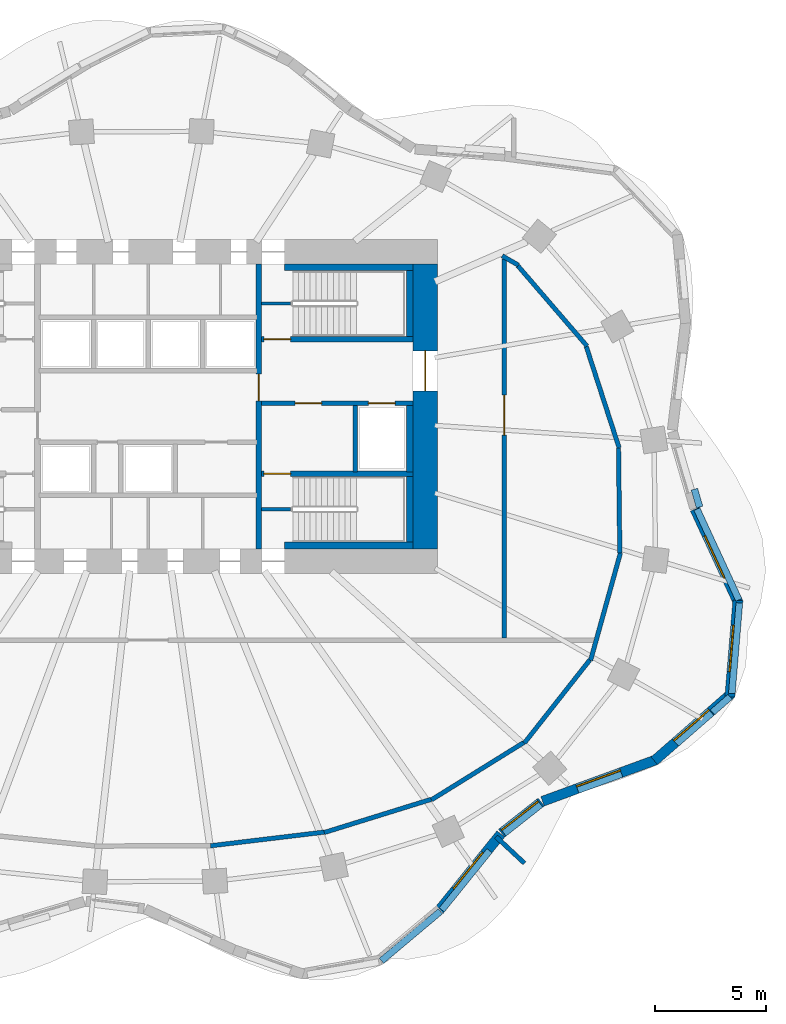
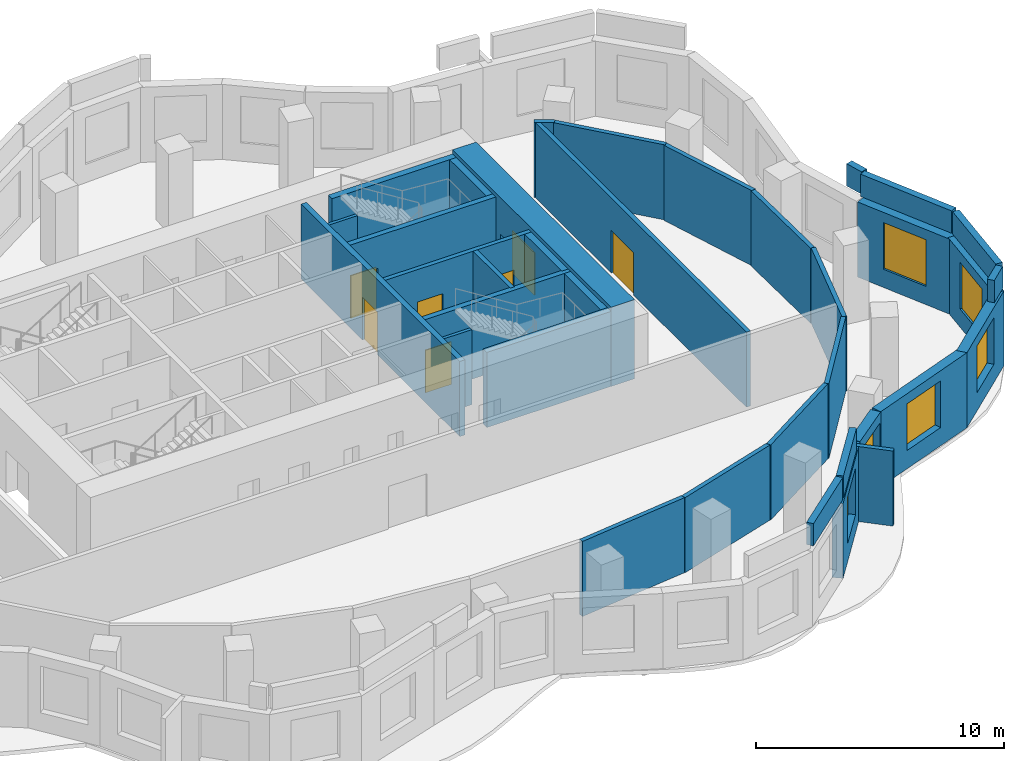
# One storey, part 5 of 8: 36 walls, 7 doors, 6 windows, 13 openings.
"""IFC4 building model written with IfcOpenShell, lengths in metres."""

from ifc_helpers import new_model, si_unit, direction, frame, frame_2d, origin, place, context, subcontext, project, spatial, rectangle, extrude, material, layer, layer_set, type_object, element, fill, save


model = new_model("IFC4")

# Units and contexts
model_context = context("Model", 3, precision=1e-05, world=origin(), true_north=direction((0.0, 1.0)))
body_context = subcontext(model_context, "Body", "Model", "MODEL_VIEW")
ifc_project = project(units=[si_unit("LENGTHUNIT", "METRE"), si_unit("AREAUNIT", "SQUARE_METRE"), si_unit("VOLUMEUNIT", "CUBIC_METRE"), si_unit("PLANEANGLEUNIT", "RADIAN"), si_unit("MASSUNIT", "GRAM", prefix="KILO")], contexts=[model_context])

# Site, building, storey
site_placement = place(None, origin())
site = spatial("IfcSite", under=ifc_project, at=site_placement, CompositionType="ELEMENT")
building_placement = place(site_placement, origin())
building = spatial("IfcBuilding", under=site, at=building_placement, Name="Rubra Terraces Tower", CompositionType="ELEMENT")
storey_placement = place(building_placement, frame((0.0, 0.0, 150.0)))
storey = spatial("IfcBuildingStorey", under=building, at=storey_placement, Name="L36", CompositionType="ELEMENT", Elevation=150.0)

# Wall, opening, window
ifc_material_1 = material(Name="Brick masonry red-brown", Category="masonry")
ifc_layer_1 = layer(ifc_material_1, 0.449951171875)
ifc_layer_set_1 = layer_set([ifc_layer_1], Name="Brick masonry red-brown")
wall_type_1 = type_object("IfcWallType", Name="Brick facade wall 450", PredefinedType="SOLIDWALL", material=ifc_layer_set_1)
wall_1_placement = place(storey_placement, frame((13.0849609375, -18.140380859375, 0.0), z_axis=(0.0, 0.0, 1.0), x_axis=(0.628273836344, 0.777992279245, 0.0)))
wall_1 = element("IfcWall", 1, at=wall_1_placement, inside=storey, type_object=wall_type_1, Name="Facade wall L36 bay 35", PredefinedType="SOLIDWALL", context=body_context, shape_type="SweptSolid", body=[
    extrude(rectangle(XDim=4.401123046875, YDim=0.449951171875, at=frame_2d((2.20068359375, 0.0))), origin(), (0.0, 0.0, 1.0), 3.699951171875),
])
opening_1_placement = place(wall_1_placement, frame((1.150634765625, 0.0, 0.89990234375)))
opening_1 = element("IfcOpeningElement", 2, at=opening_1_placement, cuts=wall_1, Name="Opening W1B", PredefinedType="OPENING", context=body_context, shape_type="SweptSolid", body=[
    extrude(rectangle(XDim=2.10009765625, YDim=2.300048828125, at=frame_2d((1.050048828125, 1.14990234375))), frame((0.0, 0.23486328125, 0.0), z_axis=(0.0, -1.0, 0.0), x_axis=(1.0, 0.0, 0.0)), (0.0, 0.0, 1.0), 0.469970703125),
])
ifc_material_2 = material(Name="Clear glass in aluminium frame", Category="aluminium")
window_type = type_object("IfcWindowType", Name="Fixed deep-set window tall storey 2100 x 2300", PartitioningType="SINGLE_PANEL", PredefinedType="WINDOW", material=ifc_material_2)
window_1_placement = place(opening_1_placement, origin())
window_1 = element("IfcWindow", 3, at=window_1_placement, inside=storey, type_object=window_type, Name="Window L36 bay 35", OverallHeight=2.300048828125, OverallWidth=2.10009765625, PartitioningType="SINGLE_PANEL", PredefinedType="WINDOW", context=body_context, shape_type="SweptSolid", body=[
    extrude(rectangle(XDim=2.10009765625, YDim=2.300048828125, at=frame_2d((1.050048828125, 1.14990234375))), frame((0.0, 0.135009765625, 0.0), z_axis=(0.0, -1.0, 0.0), x_axis=(1.0, 0.0, 0.0)), (0.0, 0.0, 1.0), 0.06005859375),
])
fill(opening_1, window_1)

wall_2_placement = place(storey_placement, frame((15.885986328125, -14.680908203125, 0.0), z_axis=(0.0, 0.0, 1.0), x_axis=(0.78545189886, 0.618922704849, 0.0)))
wall_2 = element("IfcWall", 4, at=wall_2_placement, inside=storey, type_object=wall_type_1, Name="Facade wall L36 bay 36", PredefinedType="SOLIDWALL", context=body_context, shape_type="SweptSolid", body=[
    extrude(rectangle(XDim=2.2607421875, YDim=0.449951171875, at=frame_2d((1.13037109375, 0.0))), origin(), (0.0, 0.0, 1.0), 3.699951171875),
])
opening_2_placement = place(wall_2_placement, frame((0.080322265625, 0.0, 0.89990234375)))
opening_2 = element("IfcOpeningElement", 5, at=opening_2_placement, cuts=wall_2, Name="Opening W1B", PredefinedType="OPENING", context=body_context, shape_type="SweptSolid", body=[
    extrude(rectangle(XDim=2.10009765625, YDim=2.300048828125, at=frame_2d((1.050048828125, 1.14990234375))), frame((0.0, 0.23486328125, 0.0), z_axis=(0.0, -1.0, 0.0), x_axis=(1.0, 0.0, 0.0)), (0.0, 0.0, 1.0), 0.469970703125),
])
window_2_placement = place(opening_2_placement, origin())
window_2 = element("IfcWindow", 6, at=window_2_placement, inside=storey, type_object=window_type, Name="Window L36 bay 36", OverallHeight=2.300048828125, OverallWidth=2.10009765625, PartitioningType="SINGLE_PANEL", PredefinedType="WINDOW", context=body_context, shape_type="SweptSolid", body=[
    extrude(rectangle(XDim=2.10009765625, YDim=2.300048828125, at=frame_2d((1.050048828125, 1.14990234375))), frame((0.0, 0.135009765625, 0.0), z_axis=(0.0, -1.0, 0.0), x_axis=(1.0, 0.0, 0.0)), (0.0, 0.0, 1.0), 0.06005859375),
])
fill(opening_2, window_2)

wall_3_placement = place(storey_placement, frame((17.7236328125, -13.247314453125, 0.0), z_axis=(0.0, 0.0, 1.0), x_axis=(0.939241771593, 0.343256310203, 0.0)))
wall_3 = element("IfcWall", 7, at=wall_3_placement, inside=storey, type_object=wall_type_1, Name="Facade wall L36 bay 37", PredefinedType="SOLIDWALL", context=body_context, shape_type="SweptSolid", body=[
    extrude(rectangle(XDim=5.426025390625, YDim=0.449951171875, at=frame_2d((2.712890625, 0.0))), origin(), (0.0, 0.0, 1.0), 3.699951171875),
])
opening_3_placement = place(wall_3_placement, frame((1.6630859375, 0.0, 0.89990234375)))
opening_3 = element("IfcOpeningElement", 8, at=opening_3_placement, cuts=wall_3, Name="Opening W1B", PredefinedType="OPENING", context=body_context, shape_type="SweptSolid", body=[
    extrude(rectangle(XDim=2.10009765625, YDim=2.300048828125, at=frame_2d((1.050048828125, 1.14990234375))), frame((0.0, 0.23486328125, 0.0), z_axis=(0.0, -1.0, 0.0), x_axis=(1.0, 0.0, 0.0)), (0.0, 0.0, 1.0), 0.469970703125),
])
window_3_placement = place(opening_3_placement, origin())
window_3 = element("IfcWindow", 9, at=window_3_placement, inside=storey, type_object=window_type, Name="Window L36 bay 37", OverallHeight=2.300048828125, OverallWidth=2.10009765625, PartitioningType="SINGLE_PANEL", PredefinedType="WINDOW", context=body_context, shape_type="SweptSolid", body=[
    extrude(rectangle(XDim=2.10009765625, YDim=2.300048828125, at=frame_2d((1.050048828125, 1.14990234375))), frame((0.0, 0.135009765625, 0.0), z_axis=(0.0, -1.0, 0.0), x_axis=(1.0, 0.0, 0.0)), (0.0, 0.0, 1.0), 0.06005859375),
])
fill(opening_3, window_3)

wall_4_placement = place(storey_placement, frame((22.74951171875, -11.4267578125, 0.0), z_axis=(0.0, 0.0, 1.0), x_axis=(0.753367370231, 0.657599882506, 0.0)))
wall_4 = element("IfcWall", 10, at=wall_4_placement, inside=storey, type_object=wall_type_1, Name="Facade wall L36 bay 38", PredefinedType="SOLIDWALL", context=body_context, shape_type="SweptSolid", body=[
    extrude(rectangle(XDim=4.606689453125, YDim=0.449951171875, at=frame_2d((2.30322265625, 0.0))), origin(), (0.0, 0.0, 1.0), 3.699951171875),
])
opening_4_placement = place(wall_4_placement, frame((1.25341796875, 0.0, 0.89990234375)))
opening_4 = element("IfcOpeningElement", 11, at=opening_4_placement, cuts=wall_4, Name="Opening W1B", PredefinedType="OPENING", context=body_context, shape_type="SweptSolid", body=[
    extrude(rectangle(XDim=2.10009765625, YDim=2.300048828125, at=frame_2d((1.050048828125, 1.14990234375))), frame((0.0, 0.23486328125, 0.0), z_axis=(0.0, -1.0, 0.0), x_axis=(1.0, 0.0, 0.0)), (0.0, 0.0, 1.0), 0.469970703125),
])
window_4_placement = place(opening_4_placement, origin())
window_4 = element("IfcWindow", 12, at=window_4_placement, inside=storey, type_object=window_type, Name="Window L36 bay 38", OverallHeight=2.300048828125, OverallWidth=2.10009765625, PartitioningType="SINGLE_PANEL", PredefinedType="WINDOW", context=body_context, shape_type="SweptSolid", body=[
    extrude(rectangle(XDim=2.10009765625, YDim=2.300048828125, at=frame_2d((1.050048828125, 1.14990234375))), frame((0.0, 0.135009765625, 0.0), z_axis=(0.0, -1.0, 0.0), x_axis=(1.0, 0.0, 0.0)), (0.0, 0.0, 1.0), 0.06005859375),
])
fill(opening_4, window_4)

wall_5_placement = place(storey_placement, frame((26.143798828125, -8.54833984375, 0.0), z_axis=(0.0, 0.0, 1.0), x_axis=(0.083268523648, 0.996527146128, 0.0)))
wall_5 = element("IfcWall", 13, at=wall_5_placement, inside=storey, type_object=wall_type_1, Name="Facade wall L36 bay 39", PredefinedType="SOLIDWALL", context=body_context, shape_type="SweptSolid", body=[
    extrude(rectangle(XDim=4.34814453125, YDim=0.449951171875, at=frame_2d((2.174072265625, 0.0))), origin(), (0.0, 0.0, 1.0), 3.699951171875),
])
opening_5_placement = place(wall_5_placement, frame((1.1240234375, 0.0, 0.89990234375)))
opening_5 = element("IfcOpeningElement", 14, at=opening_5_placement, cuts=wall_5, Name="Opening W1B", PredefinedType="OPENING", context=body_context, shape_type="SweptSolid", body=[
    extrude(rectangle(XDim=2.10009765625, YDim=2.300048828125, at=frame_2d((1.050048828125, 1.14990234375))), frame((0.0, 0.23486328125, 0.0), z_axis=(0.0, -1.0, 0.0), x_axis=(1.0, 0.0, 0.0)), (0.0, 0.0, 1.0), 0.469970703125),
])
window_5_placement = place(opening_5_placement, origin())
window_5 = element("IfcWindow", 15, at=window_5_placement, inside=storey, type_object=window_type, Name="Window L36 bay 39", OverallHeight=2.300048828125, OverallWidth=2.10009765625, PartitioningType="SINGLE_PANEL", PredefinedType="WINDOW", context=body_context, shape_type="SweptSolid", body=[
    extrude(rectangle(XDim=2.10009765625, YDim=2.300048828125, at=frame_2d((1.050048828125, 1.14990234375))), frame((0.0, 0.135009765625, 0.0), z_axis=(0.0, -1.0, 0.0), x_axis=(1.0, 0.0, 0.0)), (0.0, 0.0, 1.0), 0.06005859375),
])
fill(opening_5, window_5)

wall_6_placement = place(storey_placement, frame((26.523681640625, -4.323974609375, 0.0), z_axis=(0.0, 0.0, 1.0), x_axis=(-0.419579037504, 0.907718806287, 0.0)))
wall_6 = element("IfcWall", 16, at=wall_6_placement, inside=storey, type_object=wall_type_1, Name="Facade wall L36 bay 40", PredefinedType="SOLIDWALL", context=body_context, shape_type="SweptSolid", body=[
    extrude(rectangle(XDim=4.63623046875, YDim=0.449951171875, at=frame_2d((2.318115234375, 0.0))), origin(), (0.0, 0.0, 1.0), 3.699951171875),
])
opening_6_placement = place(wall_6_placement, frame((1.26806640625, 0.0, 0.89990234375)))
opening_6 = element("IfcOpeningElement", 17, at=opening_6_placement, cuts=wall_6, Name="Opening W1B", PredefinedType="OPENING", context=body_context, shape_type="SweptSolid", body=[
    extrude(rectangle(XDim=2.10009765625, YDim=2.300048828125, at=frame_2d((1.050048828125, 1.14990234375))), frame((0.0, 0.23486328125, 0.0), z_axis=(0.0, -1.0, 0.0), x_axis=(1.0, 0.0, 0.0)), (0.0, 0.0, 1.0), 0.469970703125),
])
window_6_placement = place(opening_6_placement, origin())
window_6 = element("IfcWindow", 18, at=window_6_placement, inside=storey, type_object=window_type, Name="Window L36 bay 40", OverallHeight=2.300048828125, OverallWidth=2.10009765625, PartitioningType="SINGLE_PANEL", PredefinedType="WINDOW", context=body_context, shape_type="SweptSolid", body=[
    extrude(rectangle(XDim=2.10009765625, YDim=2.300048828125, at=frame_2d((1.050048828125, 1.14990234375))), frame((0.0, 0.135009765625, 0.0), z_axis=(0.0, -1.0, 0.0), x_axis=(1.0, 0.0, 0.0)), (0.0, 0.0, 1.0), 0.06005859375),
])
fill(opening_6, window_6)

# Walls
ifc_layer_2 = layer(ifc_material_1, 0.300048828125)
ifc_layer_set_2 = layer_set([ifc_layer_2], Name="Brick masonry red-brown")
wall_type_2 = type_object("IfcWallType", Name="Brick parapet 300", PredefinedType="PARAPET", material=ifc_layer_set_2)
wall_7_placement = place(storey_placement, frame((24.78466796875, -0.025634765625, 3.89990234375), z_axis=(0.0, 0.0, 1.0), x_axis=(-0.279261128564, 0.96021519571, 0.0)))
element("IfcWall", 19, at=wall_7_placement, inside=storey, type_object=wall_type_2, Name="Parapet L36 bay 1", PredefinedType="PARAPET", context=body_context, shape_type="SweptSolid", body=[
    extrude(rectangle(XDim=0.83740234375, YDim=0.300048828125, at=frame_2d((0.418701171875, 0.0))), origin(), (0.0, 0.0, 1.0), 1.10009765625),
])
wall_8_placement = place(storey_placement, frame((10.486083984375, -20.4169921875, 3.89990234375), z_axis=(0.0, 0.0, 1.0), x_axis=(0.765557356731, 0.64336765038, 0.0)))
element("IfcWall", 20, at=wall_8_placement, inside=storey, type_object=wall_type_2, Name="Parapet L36 bay 34", PredefinedType="PARAPET", context=body_context, shape_type="SweptSolid", body=[
    extrude(rectangle(XDim=3.45654296875, YDim=0.300048828125, at=frame_2d((1.728271484375, 0.0))), origin(), (0.0, 0.0, 1.0), 1.10009765625),
])
wall_9_placement = place(storey_placement, frame((13.1943359375, -18.1298828125, 3.89990234375), z_axis=(0.0, 0.0, 1.0), x_axis=(0.628264043073, 0.778000187777, 0.0)))
element("IfcWall", 21, at=wall_9_placement, inside=storey, type_object=wall_type_2, Name="Parapet L36 bay 35", PredefinedType="PARAPET", context=body_context, shape_type="SweptSolid", body=[
    extrude(rectangle(XDim=3.42236328125, YDim=0.300048828125, at=frame_2d((1.711181640625, 0.0))), origin(), (0.0, 0.0, 1.0), 1.10009765625),
])
wall_10_placement = place(storey_placement, frame((25.3623046875, -9.24560546875, 3.89990234375), z_axis=(0.0, 0.0, 1.0), x_axis=(0.753495699064, 0.657452835945, 0.0)))
element("IfcWall", 22, at=wall_10_placement, inside=storey, type_object=wall_type_2, Name="Parapet L36 bay 38", PredefinedType="PARAPET", context=body_context, shape_type="SweptSolid", body=[
    extrude(rectangle(XDim=1.052490234375, YDim=0.300048828125, at=frame_2d((0.5263671875, 0.0))), origin(), (0.0, 0.0, 1.0), 1.10009765625),
])
wall_11_placement = place(storey_placement, frame((26.231201171875, -8.403564453125, 3.89990234375), z_axis=(0.0, 0.0, 1.0), x_axis=(0.083203659887, 0.996532563934, 0.0)))
element("IfcWall", 23, at=wall_11_placement, inside=storey, type_object=wall_type_2, Name="Parapet L36 bay 39", PredefinedType="PARAPET", context=body_context, shape_type="SweptSolid", body=[
    extrude(rectangle(XDim=4.08740234375, YDim=0.300048828125, at=frame_2d((2.043701171875, 0.0))), origin(), (0.0, 0.0, 1.0), 1.10009765625),
])
wall_12_placement = place(storey_placement, frame((26.548095703125, -4.19775390625, 3.89990234375), z_axis=(0.0, 0.0, 1.0), x_axis=(-0.419598608408, 0.907709759682, 0.0)))
element("IfcWall", 24, at=wall_12_placement, inside=storey, type_object=wall_type_2, Name="Parapet L36 bay 40", PredefinedType="PARAPET", context=body_context, shape_type="SweptSolid", body=[
    extrude(rectangle(XDim=4.4970703125, YDim=0.300048828125, at=frame_2d((2.24853515625, 0.0))), origin(), (0.0, 0.0, 1.0), 1.10009765625),
])
ifc_layer_3 = layer(ifc_material_1, 0.199951171875)
ifc_layer_set_3 = layer_set([ifc_layer_3], Name="Brick masonry red-brown")
wall_type_3 = type_object("IfcWallType", Name="Brick wind fin 200", PredefinedType="SOLIDWALL", material=ifc_layer_set_3)
wall_13_placement = place(storey_placement, frame((15.632080078125, -14.837890625, 0.0), z_axis=(0.0, 0.0, 1.0), x_axis=(0.73177399504, -0.681547371929, 0.0)))
element("IfcWall", 25, at=wall_13_placement, inside=storey, type_object=wall_type_3, Name="Wind fin L36 18", PredefinedType="SOLIDWALL", context=body_context, shape_type="SweptSolid", body=[
    extrude(rectangle(XDim=1.75, YDim=0.199951171875, at=frame_2d((0.875, 0.0))), origin(), (0.0, 0.0, 1.0), 3.699951171875),
])

# Wall, opening, door
ifc_material_3 = material(Name="Concrete C60", Category="concrete")
ifc_layer_4 = layer(ifc_material_3, 1.10009765625)
ifc_layer_set_4 = layer_set([ifc_layer_4], Name="Concrete C60")
wall_type_4 = type_object("IfcWallType", Name="CORE WALL 1100 C60", PredefinedType="SHEAR", material=ifc_layer_set_4)
wall_14_placement = place(storey_placement, frame((12.449951171875, -1.89990234375, 0.0), z_axis=(0.0, 0.0, 1.0), x_axis=(0.0, 1.0, 0.0)))
wall_14 = element("IfcWall", 26, at=wall_14_placement, inside=storey, type_object=wall_type_4, Name="CORE WALL E L36", PredefinedType="SHEAR", context=body_context, shape_type="SweptSolid", body=[
    extrude(rectangle(XDim=12.7998046875, YDim=1.10009765625, at=frame_2d((6.39990234375, 0.0))), origin(), (0.0, 0.0, 1.0), 3.89990234375),
])
opening_7_placement = place(wall_14_placement, frame((7.10009765625, 0.0, 0.0)))
opening_7 = element("IfcOpeningElement", 27, at=opening_7_placement, cuts=wall_14, Name="Opening L36.C02", PredefinedType="OPENING", context=body_context, shape_type="SweptSolid", body=[
    extrude(rectangle(XDim=1.800048828125, YDim=2.10009765625, at=frame_2d((0.89990234375, 1.050048828125))), frame((0.0, 0.56005859375, 0.0), z_axis=(0.0, -1.0, 0.0), x_axis=(1.0, 0.0, 0.0)), (0.0, 0.0, 1.0), 1.1201171875),
])
ifc_material_4 = material(Name="Painted steel", Category="steel")
door_type_1 = type_object("IfcDoorType", Name="Fire door 1800x2100 double", OperationType="NOTDEFINED", PredefinedType="DOOR", material=ifc_material_4)
door_1_placement = place(opening_7_placement, origin())
door_1 = element("IfcDoor", 28, at=door_1_placement, inside=storey, type_object=door_type_1, Name="Core entrance door FF2", OperationType="DOUBLE_DOOR_SINGLE_SWING", OverallHeight=2.10009765625, OverallWidth=1.800048828125, PredefinedType="DOOR", context=body_context, shape_type="SweptSolid", body=[
    extrude(rectangle(XDim=1.800048828125, YDim=2.10009765625, at=frame_2d((0.89990234375, 1.050048828125))), frame((0.0, 0.02490234375, 0.0), z_axis=(0.0, -1.0, 0.0), x_axis=(1.0, 0.0, 0.0)), (0.0, 0.0, 1.0), 0.050048828125),
])
fill(opening_7, door_1)

# Walls
ifc_material_5 = material(Name="Concrete C40", Category="concrete")
ifc_layer_5 = layer(ifc_material_5, 0.300048828125)
ifc_layer_set_5 = layer_set([ifc_layer_5], Name="Concrete C40")
wall_type_5 = type_object("IfcWallType", Name="Core lining wall 300 concrete", PredefinedType="SOLIDWALL", material=ifc_layer_set_5)
wall_15_placement = place(storey_placement, frame((11.89990234375, 10.75, 0.0), z_axis=(0.0, 0.0, 1.0), x_axis=(-1.0, 0.0, 0.0)))
element("IfcWall", 29, at=wall_15_placement, inside=storey, type_object=wall_type_5, Name="CORE LINING WALL L36", PredefinedType="SOLIDWALL", context=body_context, shape_type="SweptSolid", body=[
    extrude(rectangle(XDim=5.77978515625, YDim=0.300048828125, at=frame_2d((2.889892578125, 0.0))), origin(), (0.0, 0.0, 1.0), 3.699951171875),
])
wall_16_placement = place(storey_placement, frame((11.75, 10.60009765625, 0.0), z_axis=(0.0, 0.0, 1.0), x_axis=(0.0, -1.0, 0.0)))
element("IfcWall", 30, at=wall_16_placement, inside=storey, type_object=wall_type_5, Name="CORE LINING WALL L36", PredefinedType="SOLIDWALL", context=body_context, shape_type="SweptSolid", body=[
    extrude(rectangle(XDim=2.9501953125, YDim=0.300048828125, at=frame_2d((1.47509765625, 0.0))), origin(), (0.0, 0.0, 1.0), 3.699951171875),
])
wall_17_placement = place(storey_placement, frame((11.75, 4.550048828125, 0.0), z_axis=(0.0, 0.0, 1.0), x_axis=(0.0, -1.0, 0.0)))
element("IfcWall", 31, at=wall_17_placement, inside=storey, type_object=wall_type_5, Name="CORE LINING WALL L36", PredefinedType="SOLIDWALL", context=body_context, shape_type="SweptSolid", body=[
    extrude(rectangle(XDim=3.0, YDim=0.300048828125, at=frame_2d((1.5, 0.0))), origin(), (0.0, 0.0, 1.0), 3.699951171875),
])
wall_18_placement = place(storey_placement, frame((11.75, 1.35009765625, 0.0), z_axis=(0.0, 0.0, 1.0), x_axis=(0.0, -1.0, 0.0)))
element("IfcWall", 32, at=wall_18_placement, inside=storey, type_object=wall_type_5, Name="CORE LINING WALL L36", PredefinedType="SOLIDWALL", context=body_context, shape_type="SweptSolid", body=[
    extrude(rectangle(XDim=2.9501953125, YDim=0.300048828125, at=frame_2d((1.47509765625, 0.0))), origin(), (0.0, 0.0, 1.0), 3.699951171875),
])
wall_19_placement = place(storey_placement, frame((11.89990234375, -1.75, 0.0), z_axis=(0.0, 0.0, 1.0), x_axis=(-1.0, 0.0, 0.0)))
element("IfcWall", 33, at=wall_19_placement, inside=storey, type_object=wall_type_5, Name="CORE LINING WALL L36", PredefinedType="SOLIDWALL", context=body_context, shape_type="SweptSolid", body=[
    extrude(rectangle(XDim=5.77978515625, YDim=0.300048828125, at=frame_2d((2.889892578125, 0.0))), origin(), (0.0, 0.0, 1.0), 3.699951171875),
])

# Wall, openings, doors
ifc_material_6 = material(Name="Concrete C30", Category="concrete")
ifc_layer_6 = layer(ifc_material_6, 0.199951171875)
ifc_layer_set_6 = layer_set([ifc_layer_6], Name="Concrete C30")
wall_type_6 = type_object("IfcWallType", Name="Core wall 200 concrete", PredefinedType="SOLIDWALL", material=ifc_layer_set_6)
wall_20_placement = place(storey_placement, frame((11.89990234375, 4.64990234375, 0.0), z_axis=(0.0, 0.0, 1.0), x_axis=(-1.0, 0.0, 0.0)))
wall_20 = element("IfcWall", 34, at=wall_20_placement, inside=storey, type_object=wall_type_6, Name="STAIR WALL L36", PredefinedType="SOLIDWALL", context=body_context, shape_type="SweptSolid", body=[
    extrude(rectangle(XDim=6.7998046875, YDim=0.199951171875, at=frame_2d((3.39990234375, 0.0))), origin(), (0.0, 0.0, 1.0), 3.699951171875),
])
opening_8_placement = place(wall_20_placement, frame((4.10009765625, 0.0, 0.0)))
opening_8 = element("IfcOpeningElement", 35, at=opening_8_placement, cuts=wall_20, Name="Opening L36.C06", PredefinedType="OPENING", context=body_context, shape_type="SweptSolid", body=[
    extrude(rectangle(XDim=1.199951171875, YDim=2.10009765625, at=frame_2d((0.60009765625, 1.050048828125))), frame((0.0, 0.10986328125, 0.0), z_axis=(0.0, -1.0, 0.0), x_axis=(1.0, 0.0, 0.0)), (0.0, 0.0, 1.0), 0.219970703125),
])
opening_9_placement = place(wall_20_placement, frame((0.800048828125, 0.0, 0.0)))
opening_9 = element("IfcOpeningElement", 36, at=opening_9_placement, cuts=wall_20, Name="Opening L36.C12", PredefinedType="OPENING", context=body_context, shape_type="SweptSolid", body=[
    extrude(rectangle(XDim=1.199951171875, YDim=2.10009765625, at=frame_2d((0.60009765625, 1.050048828125))), frame((0.0, 0.10986328125, 0.0), z_axis=(0.0, -1.0, 0.0), x_axis=(1.0, 0.0, 0.0)), (0.0, 0.0, 1.0), 0.219970703125),
])
door_type_2 = type_object("IfcDoorType", Name="Fire door 1200x2100 single", OperationType="NOTDEFINED", PredefinedType="DOOR", material=ifc_material_4)
door_2_placement = place(opening_8_placement, origin())
door_2 = element("IfcDoor", 37, at=door_2_placement, inside=storey, type_object=door_type_2, Name="Stair vestibule door S4", OperationType="SINGLE_SWING_RIGHT", OverallHeight=2.10009765625, OverallWidth=1.199951171875, PredefinedType="DOOR", context=body_context, shape_type="SweptSolid", body=[
    extrude(rectangle(XDim=1.199951171875, YDim=2.10009765625, at=frame_2d((0.60009765625, 1.050048828125))), frame((0.0, 0.02490234375, 0.0), z_axis=(0.0, -1.0, 0.0), x_axis=(1.0, 0.0, 0.0)), (0.0, 0.0, 1.0), 0.050048828125),
])
fill(opening_8, door_2)
ifc_material_7 = material(Name="Stainless steel", Category="steel")
door_type_3 = type_object("IfcDoorType", Name="Lift landing door 1200x2100", OperationType="NOTDEFINED", PredefinedType="DOOR", material=ifc_material_7)
door_3_placement = place(opening_9_placement, origin())
door_3 = element("IfcDoor", 38, at=door_3_placement, inside=storey, type_object=door_type_3, Name="Landing door FF2", OperationType="SLIDING_TO_RIGHT", OverallHeight=2.10009765625, OverallWidth=1.199951171875, PredefinedType="DOOR", context=body_context, shape_type="SweptSolid", body=[
    extrude(rectangle(XDim=1.199951171875, YDim=2.10009765625, at=frame_2d((0.60009765625, 1.050048828125))), frame((0.0, 0.02490234375, 0.0), z_axis=(0.0, -1.0, 0.0), x_axis=(1.0, 0.0, 0.0)), (0.0, 0.0, 1.0), 0.050048828125),
])
fill(opening_9, door_3)

# Walls
wall_21_placement = place(storey_placement, frame((9.300048828125, 4.550048828125, 0.0), z_axis=(0.0, 0.0, 1.0), x_axis=(0.0, -1.0, 0.0)))
element("IfcWall", 39, at=wall_21_placement, inside=storey, type_object=wall_type_6, Name="STAIR WALL L36", PredefinedType="SOLIDWALL", context=body_context, shape_type="SweptSolid", body=[
    extrude(rectangle(XDim=3.0, YDim=0.199951171875, at=frame_2d((1.5, 0.0))), origin(), (0.0, 0.0, 1.0), 3.699951171875),
])
ifc_material_8 = material(Name="Blockwork", Category="masonry")
ifc_layer_7 = layer(ifc_material_8, 0.199951171875)
ifc_layer_set_7 = layer_set([ifc_layer_7], Name="Blockwork")
wall_type_7 = type_object("IfcWallType", Name="Corridor partition 200 blockwork", PredefinedType="PARTITIONING", material=ifc_layer_set_7)
wall_22_placement = place(storey_placement, frame((21.22607421875, -2.0849609375, 0.0), z_axis=(0.0, 0.0, 1.0), x_axis=(-0.267859993319, -0.963457847536, 0.0)))
element("IfcWall", 40, at=wall_22_placement, inside=storey, type_object=wall_type_7, Name="Partition wall", PredefinedType="PARTITIONING", context=body_context, shape_type="SweptSolid", body=[
    extrude(rectangle(XDim=5.01025390625, YDim=0.199951171875, at=frame_2d((2.505126953125, 0.0))), origin(), (0.0, 0.0, 1.0), 3.699951171875),
])
wall_23_placement = place(storey_placement, frame((19.84912109375, -6.89501953125, 0.0), z_axis=(0.0, 0.0, 1.0), x_axis=(-0.618811760178, -0.785539308669, 0.0)))
element("IfcWall", 41, at=wall_23_placement, inside=storey, type_object=wall_type_7, Name="Partition wall", PredefinedType="PARTITIONING", context=body_context, shape_type="SweptSolid", body=[
    extrude(rectangle(XDim=4.756103515625, YDim=0.199951171875, at=frame_2d((2.3779296875, 0.0))), origin(), (0.0, 0.0, 1.0), 3.699951171875),
])
wall_24_placement = place(storey_placement, frame((16.883056640625, -10.60498046875, 0.0), z_axis=(0.0, 0.0, 1.0), x_axis=(-0.849608511022, -0.527413858368, 0.0)))
element("IfcWall", 42, at=wall_24_placement, inside=storey, type_object=wall_type_7, Name="Partition wall", PredefinedType="PARTITIONING", context=body_context, shape_type="SweptSolid", body=[
    extrude(rectangle(XDim=4.885986328125, YDim=0.199951171875, at=frame_2d((2.44287109375, 0.0))), origin(), (0.0, 0.0, 1.0), 3.699951171875),
])
wall_25_placement = place(storey_placement, frame((12.720947265625, -13.158935546875, 0.0), z_axis=(0.0, 0.0, 1.0), x_axis=(-0.955038559717, -0.296481617396, 0.0)))
element("IfcWall", 43, at=wall_25_placement, inside=storey, type_object=wall_type_7, Name="Partition wall", PredefinedType="PARTITIONING", context=body_context, shape_type="SweptSolid", body=[
    extrude(rectangle(XDim=5.0322265625, YDim=0.199951171875, at=frame_2d((2.51611328125, 0.0))), origin(), (0.0, 0.0, 1.0), 3.699951171875),
])
wall_26_placement = place(storey_placement, frame((7.912109375, -14.633056640625, 0.0), z_axis=(0.0, 0.0, 1.0), x_axis=(-0.992841344803, -0.119440629808, 0.0)))
element("IfcWall", 44, at=wall_26_placement, inside=storey, type_object=wall_type_7, Name="Partition wall", PredefinedType="PARTITIONING", context=body_context, shape_type="SweptSolid", body=[
    extrude(rectangle(XDim=5.14892578125, YDim=0.199951171875, at=frame_2d((2.574462890625, 0.0))), origin(), (0.0, 0.0, 1.0), 3.699951171875),
])
wall_27_placement = place(storey_placement, frame((15.9130859375, 11.26708984375, 0.0), z_axis=(0.0, 0.0, 1.0), x_axis=(0.866219676164, -0.4996633593, 0.0)))
element("IfcWall", 45, at=wall_27_placement, inside=storey, type_object=wall_type_7, Name="Partition wall", PredefinedType="PARTITIONING", context=body_context, shape_type="SweptSolid", body=[
    extrude(rectangle(XDim=0.83447265625, YDim=0.199951171875, at=frame_2d((0.417236328125, 0.0))), origin(), (0.0, 0.0, 1.0), 3.699951171875),
])
wall_28_placement = place(storey_placement, frame((16.614013671875, 10.823974609375, 0.0), z_axis=(0.0, 0.0, 1.0), x_axis=(0.652570543166, -0.757727976382, 0.0)))
element("IfcWall", 46, at=wall_28_placement, inside=storey, type_object=wall_type_7, Name="Partition wall", PredefinedType="PARTITIONING", context=body_context, shape_type="SweptSolid", body=[
    extrude(rectangle(XDim=4.76416015625, YDim=0.199951171875, at=frame_2d((2.382080078125, 0.0))), origin(), (0.0, 0.0, 1.0), 3.699951171875),
])
wall_29_placement = place(storey_placement, frame((19.68896484375, 7.195068359375, 0.0), z_axis=(0.0, 0.0, 1.0), x_axis=(0.308517152125, -0.951218779695, 0.0)))
element("IfcWall", 47, at=wall_29_placement, inside=storey, type_object=wall_type_7, Name="Partition wall", PredefinedType="PARTITIONING", context=body_context, shape_type="SweptSolid", body=[
    extrude(rectangle(XDim=4.7939453125, YDim=0.199951171875, at=frame_2d((2.39697265625, 0.0))), origin(), (0.0, 0.0, 1.0), 3.699951171875),
])
wall_30_placement = place(storey_placement, frame((21.137939453125, 2.6298828125, 0.0), z_axis=(0.0, 0.0, 1.0), x_axis=(0.012747720312, -0.999918744512, 0.0)))
element("IfcWall", 48, at=wall_30_placement, inside=storey, type_object=wall_type_7, Name="Partition wall", PredefinedType="PARTITIONING", context=body_context, shape_type="SweptSolid", body=[
    extrude(rectangle(XDim=4.71142578125, YDim=0.199951171875, at=frame_2d((2.355712890625, 0.0))), origin(), (0.0, 0.0, 1.0), 3.699951171875),
])

# Wall, opening, door
wall_31_placement = place(storey_placement, frame((16.0, -5.89990234375, 0.0), z_axis=(0.0, 0.0, 1.0), x_axis=(0.0, 1.0, 0.0)))
wall_31 = element("IfcWall", 49, at=wall_31_placement, inside=storey, type_object=wall_type_7, Name="Partition wall", PredefinedType="PARTITIONING", context=body_context, shape_type="SweptSolid", body=[
    extrude(rectangle(XDim=17.016845703125, YDim=0.199951171875, at=frame_2d((8.50830078125, 0.0))), origin(), (0.0, 0.0, 1.0), 3.699951171875),
])
opening_10_placement = place(wall_31_placement, frame((9.10791015625, 0.0, 0.0)))
opening_10 = element("IfcOpeningElement", 50, at=opening_10_placement, cuts=wall_31, Name="Opening DB3", PredefinedType="OPENING", context=body_context, shape_type="SweptSolid", body=[
    extrude(rectangle(XDim=1.800048828125, YDim=2.10009765625, at=frame_2d((0.89990234375, 1.050048828125))), frame((0.0, 0.10986328125, 0.0), z_axis=(0.0, -1.0, 0.0), x_axis=(1.0, 0.0, 0.0)), (0.0, 0.0, 1.0), 0.219970703125),
])
door_type_4 = type_object("IfcDoorType", Name="Door 1800x2100 double", OperationType="NOTDEFINED", PredefinedType="DOOR", material=ifc_material_4)
door_4_placement = place(opening_10_placement, origin())
door_4 = element("IfcDoor", 51, at=door_4_placement, inside=storey, type_object=door_type_4, Name="Refuge area door L36-03", OperationType="DOUBLE_DOOR_SINGLE_SWING", OverallHeight=2.10009765625, OverallWidth=1.800048828125, PredefinedType="DOOR", context=body_context, shape_type="SweptSolid", body=[
    extrude(rectangle(XDim=1.800048828125, YDim=2.10009765625, at=frame_2d((0.89990234375, 1.050048828125))), frame((0.0, 0.02490234375, 0.0), z_axis=(0.0, -1.0, 0.0), x_axis=(1.0, 0.0, 0.0)), (0.0, 0.0, 1.0), 0.050048828125),
])
fill(opening_10, door_4)

ifc_layer_8 = layer(ifc_material_5, 0.25)
ifc_layer_set_8 = layer_set([ifc_layer_8], Name="Concrete C40")
wall_type_8 = type_object("IfcWallType", Name="Stair enclosure wall 250 concrete", PredefinedType="SOLIDWALL", material=ifc_layer_set_8)
wall_32_placement = place(storey_placement, frame((11.89990234375, 7.52490234375, 0.0), z_axis=(0.0, 0.0, 1.0), x_axis=(-1.0, 0.0, 0.0)))
wall_32 = element("IfcWall", 52, at=wall_32_placement, inside=storey, type_object=wall_type_8, Name="STAIR WALL L36", PredefinedType="SOLIDWALL", context=body_context, shape_type="SweptSolid", body=[
    extrude(rectangle(XDim=6.7998046875, YDim=0.25, at=frame_2d((3.39990234375, 0.0))), origin(), (0.0, 0.0, 1.0), 3.699951171875),
])
opening_11_placement = place(wall_32_placement, frame((5.5, 0.0, 0.0)))
opening_11 = element("IfcOpeningElement", 53, at=opening_11_placement, cuts=wall_32, Name="Opening L36.C08", PredefinedType="OPENING", context=body_context, shape_type="SweptSolid", body=[
    extrude(rectangle(XDim=1.199951171875, YDim=2.10009765625, at=frame_2d((0.60009765625, 1.050048828125))), frame((0.0, 0.135009765625, 0.0), z_axis=(0.0, -1.0, 0.0), x_axis=(1.0, 0.0, 0.0)), (0.0, 0.0, 1.0), 0.27001953125),
])
door_5_placement = place(opening_11_placement, origin())
door_5 = element("IfcDoor", 54, at=door_5_placement, inside=storey, type_object=door_type_2, Name="Stair door S3", OperationType="SINGLE_SWING_RIGHT", OverallHeight=2.10009765625, OverallWidth=1.199951171875, PredefinedType="DOOR", context=body_context, shape_type="SweptSolid", body=[
    extrude(rectangle(XDim=1.199951171875, YDim=2.10009765625, at=frame_2d((0.60009765625, 1.050048828125))), frame((0.0, 0.02490234375, 0.0), z_axis=(0.0, -1.0, 0.0), x_axis=(1.0, 0.0, 0.0)), (0.0, 0.0, 1.0), 0.050048828125),
])
fill(opening_11, door_5)

wall_33_placement = place(storey_placement, frame((11.89990234375, 1.47509765625, 0.0), z_axis=(0.0, 0.0, 1.0), x_axis=(-1.0, 0.0, 0.0)))
wall_33 = element("IfcWall", 55, at=wall_33_placement, inside=storey, type_object=wall_type_8, Name="STAIR WALL L36", PredefinedType="SOLIDWALL", context=body_context, shape_type="SweptSolid", body=[
    extrude(rectangle(XDim=6.7998046875, YDim=0.25, at=frame_2d((3.39990234375, 0.0))), origin(), (0.0, 0.0, 1.0), 3.699951171875),
])
opening_12_placement = place(wall_33_placement, frame((5.5, 0.0, 0.0)))
opening_12 = element("IfcOpeningElement", 56, at=opening_12_placement, cuts=wall_33, Name="Opening L36.C10", PredefinedType="OPENING", context=body_context, shape_type="SweptSolid", body=[
    extrude(rectangle(XDim=1.199951171875, YDim=2.10009765625, at=frame_2d((0.60009765625, 1.050048828125))), frame((0.0, 0.135009765625, 0.0), z_axis=(0.0, -1.0, 0.0), x_axis=(1.0, 0.0, 0.0)), (0.0, 0.0, 1.0), 0.27001953125),
])
door_6_placement = place(opening_12_placement, origin())
door_6 = element("IfcDoor", 57, at=door_6_placement, inside=storey, type_object=door_type_2, Name="Stair door S4", OperationType="SINGLE_SWING_RIGHT", OverallHeight=2.10009765625, OverallWidth=1.199951171875, PredefinedType="DOOR", context=body_context, shape_type="SweptSolid", body=[
    extrude(rectangle(XDim=1.199951171875, YDim=2.10009765625, at=frame_2d((0.60009765625, 1.050048828125))), frame((0.0, 0.02490234375, 0.0), z_axis=(0.0, -1.0, 0.0), x_axis=(1.0, 0.0, 0.0)), (0.0, 0.0, 1.0), 0.050048828125),
])
fill(opening_12, door_6)

wall_34_placement = place(storey_placement, frame((4.97509765625, 10.89990234375, 0.0), z_axis=(0.0, 0.0, 1.0), x_axis=(0.0, -1.0, 0.0)))
wall_34 = element("IfcWall", 58, at=wall_34_placement, inside=storey, type_object=wall_type_8, Name="CORE LOBBY WALL L36", PredefinedType="SOLIDWALL", context=body_context, shape_type="SweptSolid", body=[
    extrude(rectangle(XDim=12.7998046875, YDim=0.25, at=frame_2d((6.39990234375, 0.0))), origin(), (0.0, 0.0, 1.0), 3.699951171875),
])
opening_13_placement = place(wall_34_placement, frame((4.949951171875, 0.0, 0.0)))
opening_13 = element("IfcOpeningElement", 59, at=opening_13_placement, cuts=wall_34, Name="Opening L36.C04", PredefinedType="OPENING", context=body_context, shape_type="SweptSolid", body=[
    extrude(rectangle(XDim=1.199951171875, YDim=2.10009765625, at=frame_2d((0.60009765625, 1.050048828125))), frame((0.0, 0.135009765625, 0.0), z_axis=(0.0, -1.0, 0.0), x_axis=(1.0, 0.0, 0.0)), (0.0, 0.0, 1.0), 0.27001953125),
])
door_7_placement = place(opening_13_placement, origin())
door_7 = element("IfcDoor", 60, at=door_7_placement, inside=storey, type_object=door_type_2, Name="Firefighting lobby door FF2", OperationType="SINGLE_SWING_RIGHT", OverallHeight=2.10009765625, OverallWidth=1.199951171875, PredefinedType="DOOR", context=body_context, shape_type="SweptSolid", body=[
    extrude(rectangle(XDim=1.199951171875, YDim=2.10009765625, at=frame_2d((0.60009765625, 1.050048828125))), frame((0.0, 0.02490234375, 0.0), z_axis=(0.0, -1.0, 0.0), x_axis=(1.0, 0.0, 0.0)), (0.0, 0.0, 1.0), 0.050048828125),
])
fill(opening_13, door_7)

# Walls
ifc_layer_9 = layer(ifc_material_5, 0.14990234375)
ifc_layer_set_9 = layer_set([ifc_layer_9], Name="Concrete C40")
wall_type_9 = type_object("IfcWallType", Name="Stair separation wall 150 concrete", PredefinedType="SOLIDWALL", material=ifc_layer_set_9)
for number, where, z_axis, x_axis, name in (
    (61, (6.39990234375, 9.125, 0.0), (0.0, 0.0, 1.0), (-1.0, 0.0, 0.0), "STAIR SEPARATION WALL L36"),
    (62, (6.39990234375, -0.125, 0.0), (0.0, 0.0, 1.0), (-1.0, 0.0, 0.0), "STAIR SEPARATION WALL L36"),
):
    element("IfcWall", number, at=place(storey_placement, frame(where, z_axis=z_axis, x_axis=x_axis)), inside=storey, type_object=wall_type_9, Name=name, PredefinedType="SOLIDWALL", context=body_context, shape_type="SweptSolid", body=[
        extrude(rectangle(XDim=1.2998046875, YDim=0.14990234375, at=frame_2d((0.64990234375, 0.0))), origin(), (0.0, 0.0, 1.0), 3.699951171875),
    ])

save(model, "model.ifc")
